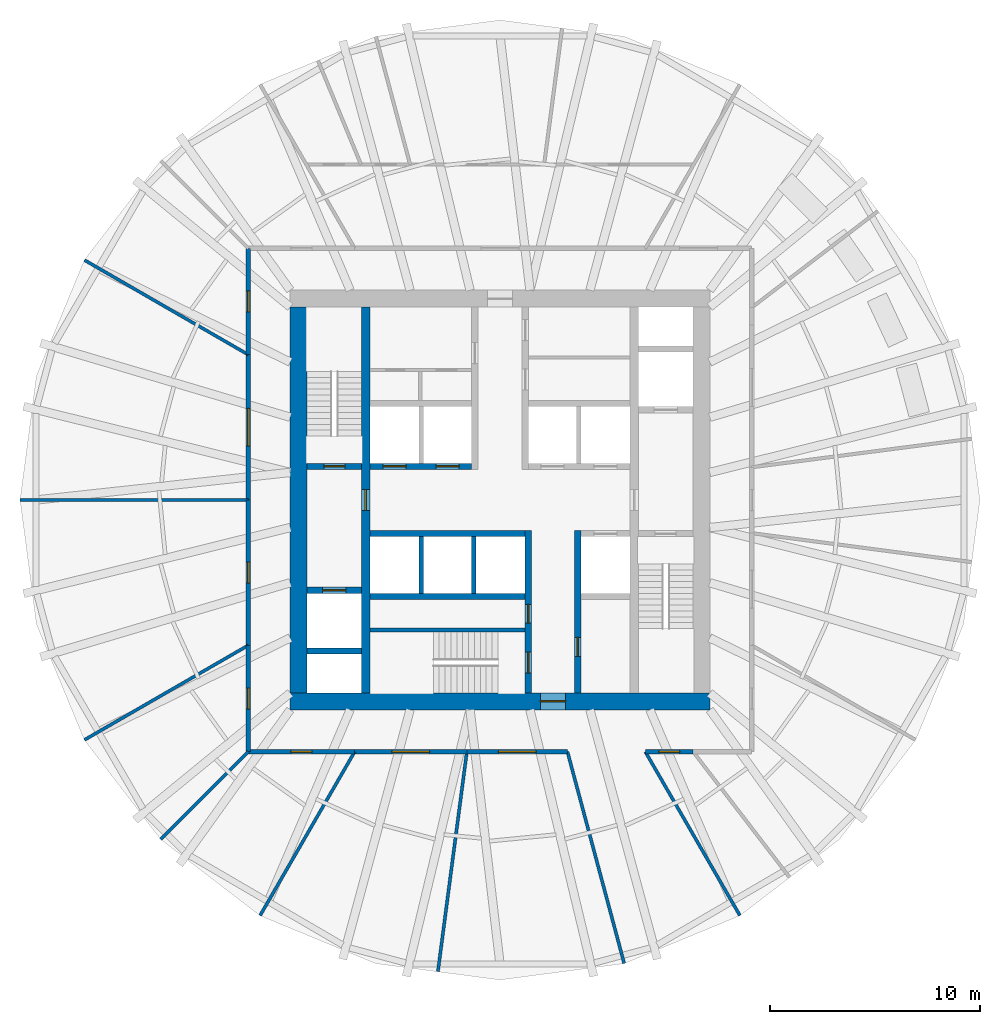
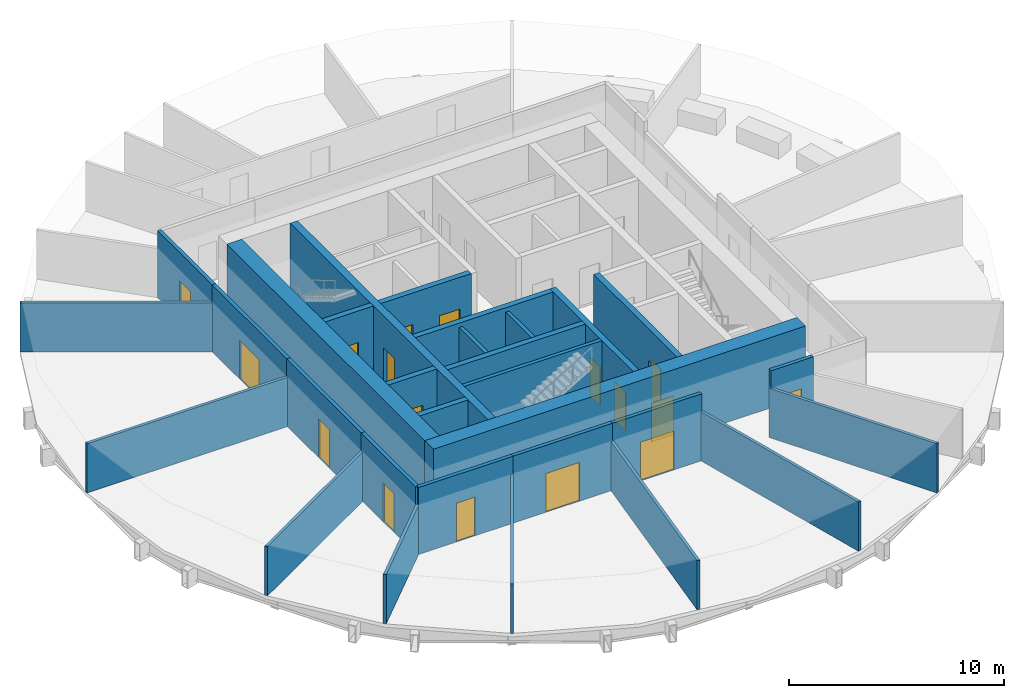
# One storey, part 3 of 7: 30 walls, 17 doors, 17 openings.
"""IFC4 building model written with IfcOpenShell, lengths in metres."""

from ifc_helpers import new_model, si_unit, direction, frame, frame_2d, origin, place, context, subcontext, project, spatial, rectangle, extrude, material, layer, layer_set, type_object, element, fill, save


model = new_model("IFC4")

# Units and contexts
model_context = context("Model", 3, precision=1e-05, world=origin(), true_north=direction((0.0, 1.0)))
body_context = subcontext(model_context, "Body", "Model", "MODEL_VIEW")
ifc_project = project(units=[si_unit("LENGTHUNIT", "METRE"), si_unit("AREAUNIT", "SQUARE_METRE"), si_unit("VOLUMEUNIT", "CUBIC_METRE"), si_unit("PLANEANGLEUNIT", "RADIAN"), si_unit("MASSUNIT", "GRAM", prefix="KILO")], contexts=[model_context])

# Site, building, storey
site_placement = place(None, origin())
site = spatial("IfcSite", under=ifc_project, at=site_placement, CompositionType="ELEMENT")
building_placement = place(site_placement, origin())
building = spatial("IfcBuilding", under=site, at=building_placement, Name="Golbaran Civic Tower", CompositionType="ELEMENT")
storey_placement = place(building_placement, frame((0.0, 0.0, 41.0)))
storey = spatial("IfcBuildingStorey", under=building, at=storey_placement, Name="L09", CompositionType="ELEMENT", Elevation=41.0)

# Wall, opening, door
ifc_material_1 = material(Name="Concrete C50/60", Category="concrete")
ifc_layer_1 = layer(ifc_material_1, 0.39990234375, Name="Concrete C50/60")
ifc_layer_set_1 = layer_set([ifc_layer_1], Name="Concrete C50/60")
wall_type_1 = type_object("IfcWallType", Name="CORE WALL CONCRETE 400", PredefinedType="SOLIDWALL", material=ifc_layer_set_1)
wall_1_placement = place(storey_placement, frame((-6.39990234375, -9.199951171875, 0.0), z_axis=(0.0, 0.0, 1.0), x_axis=(0.0, 1.0, 0.0)))
wall_1 = element("IfcWall", 1, at=wall_1_placement, inside=storey, type_object=wall_type_1, Name="Core wall IW L09", PredefinedType="SOLIDWALL", context=body_context, shape_type="SweptSolid", body=[
    extrude(rectangle(XDim=18.39990234375, YDim=0.39990234375, at=frame_2d((9.199951171875, 0.0))), origin(), (0.0, 0.0, 1.0), 4.0),
])
opening_1_placement = place(wall_1_placement, frame((8.699951171875, 0.0, 0.0)))
opening_1 = element("IfcOpeningElement", 2, at=opening_1_placement, cuts=wall_1, Name="Opening L09.FL1", PredefinedType="OPENING", context=body_context, shape_type="SweptSolid", body=[
    extrude(rectangle(XDim=1.0, YDim=2.199951171875, at=frame_2d((0.5, 1.10009765625))), frame((0.0, 0.2099609375, 0.0), z_axis=(0.0, -1.0, 0.0), x_axis=(1.0, 0.0, 0.0)), (0.0, 0.0, 1.0), 0.419921875),
])
ifc_material_2 = material(Name="Timber door set in steel frame", Category="steel")
door_type_1 = type_object("IfcDoorType", Name="STAIR DOOR 1000x2200", OperationType="SINGLE_SWING_LEFT", PredefinedType="DOOR", material=ifc_material_2)
door_1_placement = place(opening_1_placement, origin())
door_1 = element("IfcDoor", 3, at=door_1_placement, inside=storey, type_object=door_type_1, Name="Fire-fighting lobby FL1 door", OperationType="SINGLE_SWING_LEFT", OverallHeight=2.199951171875, OverallWidth=1.0, PredefinedType="DOOR", context=body_context, shape_type="SweptSolid", body=[
    extrude(rectangle(XDim=1.0, YDim=2.199951171875, at=frame_2d((0.5, 1.10009765625))), frame((0.0, 0.02490234375, 0.0), z_axis=(0.0, -1.0, 0.0), x_axis=(1.0, 0.0, 0.0)), (0.0, 0.0, 1.0), 0.050048828125),
])
fill(opening_1, door_1)

ifc_layer_2 = layer(ifc_material_1, 0.800048828125, Name="Concrete C50/60")
ifc_layer_set_2 = layer_set([ifc_layer_2], Name="Concrete C50/60")
wall_type_2 = type_object("IfcWallType", Name="CORE WALL CONCRETE 800", PredefinedType="SOLIDWALL", material=ifc_layer_set_2)
wall_2_placement = place(storey_placement, frame((10.0, -9.60009765625, 0.0), z_axis=(0.0, 0.0, 1.0), x_axis=(-1.0, 0.0, 0.0)))
wall_2 = element("IfcWall", 4, at=wall_2_placement, inside=storey, type_object=wall_type_2, Name="Core wall CS L09", PredefinedType="SOLIDWALL", context=body_context, shape_type="SweptSolid", body=[
    extrude(rectangle(XDim=20.0, YDim=0.800048828125, at=frame_2d((10.0, 0.0))), origin(), (0.0, 0.0, 1.0), 4.0),
])
opening_2_placement = place(wall_2_placement, frame((6.875, 0.0, 0.0)))
opening_2 = element("IfcOpeningElement", 5, at=opening_2_placement, cuts=wall_2, Name="Opening L09.CS", PredefinedType="OPENING", context=body_context, shape_type="SweptSolid", body=[
    extrude(rectangle(XDim=1.199951171875, YDim=2.199951171875, at=frame_2d((0.60009765625, 1.10009765625))), frame((0.0, 0.409912109375, 0.0), z_axis=(0.0, -1.0, 0.0), x_axis=(1.0, 0.0, 0.0)), (0.0, 0.0, 1.0), 0.820068359375),
])
door_type_2 = type_object("IfcDoorType", Name="CORE DOOR 1200x2200", OperationType="DOUBLE_DOOR_SINGLE_SWING", PredefinedType="DOOR", material=ifc_material_2)
door_2_placement = place(opening_2_placement, origin())
door_2 = element("IfcDoor", 6, at=door_2_placement, inside=storey, type_object=door_type_2, Name="Core door south", OperationType="DOUBLE_DOOR_SINGLE_SWING", OverallHeight=2.199951171875, OverallWidth=1.199951171875, PredefinedType="DOOR", context=body_context, shape_type="SweptSolid", body=[
    extrude(rectangle(XDim=1.199951171875, YDim=2.199951171875, at=frame_2d((0.60009765625, 1.10009765625))), frame((0.0, 0.02490234375, 0.0), z_axis=(0.0, -1.0, 0.0), x_axis=(1.0, 0.0, 0.0)), (0.0, 0.0, 1.0), 0.050048828125),
])
fill(opening_2, door_2)

# Wall
wall_3_placement = place(storey_placement, frame((-9.60009765625, 9.199951171875, 0.0), z_axis=(0.0, 0.0, 1.0), x_axis=(0.0, -1.0, 0.0)))
element("IfcWall", 7, at=wall_3_placement, inside=storey, type_object=wall_type_2, Name="Core wall CW L09", PredefinedType="SOLIDWALL", context=body_context, shape_type="SweptSolid", body=[
    extrude(rectangle(XDim=18.39990234375, YDim=0.800048828125, at=frame_2d((9.199951171875, 0.0))), origin(), (0.0, 0.0, 1.0), 4.0),
])

# Wall, opening, door
ifc_material_3 = material(Name="Gypsum board on steel studs, fire-rated", Category="steel")
ifc_layer_3 = layer(ifc_material_3, 0.199951171875, Name="Gypsum board on steel studs, fire-rated")
ifc_layer_set_3 = layer_set([ifc_layer_3], Name="Gypsum board on steel studs, fire-rated")
wall_type_3 = type_object("IfcWallType", Name="CORRIDOR WALL 200", PredefinedType="PARTITIONING", material=ifc_layer_set_3)
wall_4_placement = place(storey_placement, frame((-12.0, 12.0, 0.0), z_axis=(0.0, 0.0, 1.0), x_axis=(0.0, -1.0, 0.0)))
wall_4 = element("IfcWall", 8, at=wall_4_placement, inside=storey, type_object=wall_type_3, Name="Corridor wall L09", PredefinedType="PARTITIONING", context=body_context, shape_type="SweptSolid", body=[
    extrude(rectangle(XDim=5.07177734375, YDim=0.199951171875, at=frame_2d((2.535888671875, 0.0))), origin(), (0.0, 0.0, 1.0), 3.800048828125),
])
opening_3_placement = place(wall_4_placement, frame((2.035888671875, 0.0, 0.0)))
opening_3 = element("IfcOpeningElement", 9, at=opening_3_placement, cuts=wall_4, Name="Opening L09.11", PredefinedType="OPENING", context=body_context, shape_type="SweptSolid", body=[
    extrude(rectangle(XDim=1.0, YDim=2.199951171875, at=frame_2d((0.5, 1.10009765625))), frame((0.0, 0.10986328125, 0.0), z_axis=(0.0, -1.0, 0.0), x_axis=(1.0, 0.0, 0.0)), (0.0, 0.0, 1.0), 0.219970703125),
])
door_type_3 = type_object("IfcDoorType", Name="OFFICE DOOR 1000x2200", OperationType="SINGLE_SWING_LEFT", PredefinedType="DOOR", material=ifc_material_2)
door_3_placement = place(opening_3_placement, origin())
door_3 = element("IfcDoor", 10, at=door_3_placement, inside=storey, type_object=door_type_3, Name="Print and Copy Room door L09", OperationType="SINGLE_SWING_RIGHT", OverallHeight=2.199951171875, OverallWidth=1.0, PredefinedType="DOOR", context=body_context, shape_type="SweptSolid", body=[
    extrude(rectangle(XDim=1.0, YDim=2.199951171875, at=frame_2d((0.5, 1.10009765625))), frame((0.0, 0.02490234375, 0.0), z_axis=(0.0, -1.0, 0.0), x_axis=(1.0, 0.0, 0.0)), (0.0, 0.0, 1.0), 0.050048828125),
])
fill(opening_3, door_3)

wall_5_placement = place(storey_placement, frame((-12.0, 6.92822265625, 0.0), z_axis=(0.0, 0.0, 1.0), x_axis=(0.0, -1.0, 0.0)))
wall_5 = element("IfcWall", 11, at=wall_5_placement, inside=storey, type_object=wall_type_3, Name="Corridor wall L09", PredefinedType="PARTITIONING", context=body_context, shape_type="SweptSolid", body=[
    extrude(rectangle(XDim=6.92822265625, YDim=0.199951171875, at=frame_2d((3.464111328125, 0.0))), origin(), (0.0, 0.0, 1.0), 3.800048828125),
])
opening_4_placement = place(wall_5_placement, frame((2.564208984375, 0.0, 0.0)))
opening_4 = element("IfcOpeningElement", 12, at=opening_4_placement, cuts=wall_5, Name="Opening L09.12", PredefinedType="OPENING", context=body_context, shape_type="SweptSolid", body=[
    extrude(rectangle(XDim=1.800048828125, YDim=2.199951171875, at=frame_2d((0.89990234375, 1.10009765625))), frame((0.0, 0.10986328125, 0.0), z_axis=(0.0, -1.0, 0.0), x_axis=(1.0, 0.0, 0.0)), (0.0, 0.0, 1.0), 0.219970703125),
])
door_type_4 = type_object("IfcDoorType", Name="OFFICE DOUBLE DOOR 1800x2200", OperationType="DOUBLE_DOOR_SINGLE_SWING", PredefinedType="DOOR", material=ifc_material_2)
door_4_placement = place(opening_4_placement, origin())
door_4 = element("IfcDoor", 13, at=door_4_placement, inside=storey, type_object=door_type_4, Name="Open Office door L09", OperationType="DOUBLE_DOOR_SINGLE_SWING", OverallHeight=2.199951171875, OverallWidth=1.800048828125, PredefinedType="DOOR", context=body_context, shape_type="SweptSolid", body=[
    extrude(rectangle(XDim=1.800048828125, YDim=2.199951171875, at=frame_2d((0.89990234375, 1.10009765625))), frame((0.0, 0.02490234375, 0.0), z_axis=(0.0, -1.0, 0.0), x_axis=(1.0, 0.0, 0.0)), (0.0, 0.0, 1.0), 0.050048828125),
])
fill(opening_4, door_4)

wall_6_placement = place(storey_placement, frame((-12.0, 0.0, 0.0), z_axis=(0.0, 0.0, 1.0), x_axis=(0.0, -1.0, 0.0)))
wall_6 = element("IfcWall", 14, at=wall_6_placement, inside=storey, type_object=wall_type_3, Name="Corridor wall L09", PredefinedType="PARTITIONING", context=body_context, shape_type="SweptSolid", body=[
    extrude(rectangle(XDim=6.92822265625, YDim=0.199951171875, at=frame_2d((3.464111328125, 0.0))), origin(), (0.0, 0.0, 1.0), 3.800048828125),
])
opening_5_placement = place(wall_6_placement, frame((2.964111328125, 0.0, 0.0)))
opening_5 = element("IfcOpeningElement", 15, at=opening_5_placement, cuts=wall_6, Name="Opening L09.13", PredefinedType="OPENING", context=body_context, shape_type="SweptSolid", body=[
    extrude(rectangle(XDim=1.0, YDim=2.199951171875, at=frame_2d((0.5, 1.10009765625))), frame((0.0, 0.10986328125, 0.0), z_axis=(0.0, -1.0, 0.0), x_axis=(1.0, 0.0, 0.0)), (0.0, 0.0, 1.0), 0.219970703125),
])
door_5_placement = place(opening_5_placement, origin())
door_5 = element("IfcDoor", 16, at=door_5_placement, inside=storey, type_object=door_type_3, Name="Interview Room door L09", OperationType="SINGLE_SWING_RIGHT", OverallHeight=2.199951171875, OverallWidth=1.0, PredefinedType="DOOR", context=body_context, shape_type="SweptSolid", body=[
    extrude(rectangle(XDim=1.0, YDim=2.199951171875, at=frame_2d((0.5, 1.10009765625))), frame((0.0, 0.02490234375, 0.0), z_axis=(0.0, -1.0, 0.0), x_axis=(1.0, 0.0, 0.0)), (0.0, 0.0, 1.0), 0.050048828125),
])
fill(opening_5, door_5)

wall_7_placement = place(storey_placement, frame((-12.0, -6.92822265625, 0.0), z_axis=(0.0, 0.0, 1.0), x_axis=(0.0, -1.0, 0.0)))
wall_7 = element("IfcWall", 17, at=wall_7_placement, inside=storey, type_object=wall_type_3, Name="Corridor wall L09", PredefinedType="PARTITIONING", context=body_context, shape_type="SweptSolid", body=[
    extrude(rectangle(XDim=5.07177734375, YDim=0.199951171875, at=frame_2d((2.535888671875, 0.0))), origin(), (0.0, 0.0, 1.0), 3.800048828125),
])
opening_6_placement = place(wall_7_placement, frame((2.035888671875, 0.0, 0.0)))
opening_6 = element("IfcOpeningElement", 18, at=opening_6_placement, cuts=wall_7, Name="Opening L09.14", PredefinedType="OPENING", context=body_context, shape_type="SweptSolid", body=[
    extrude(rectangle(XDim=1.0, YDim=2.199951171875, at=frame_2d((0.5, 1.10009765625))), frame((0.0, 0.10986328125, 0.0), z_axis=(0.0, -1.0, 0.0), x_axis=(1.0, 0.0, 0.0)), (0.0, 0.0, 1.0), 0.219970703125),
])
door_6_placement = place(opening_6_placement, origin())
door_6 = element("IfcDoor", 19, at=door_6_placement, inside=storey, type_object=door_type_3, Name="Project Room door L09", OperationType="SINGLE_SWING_RIGHT", OverallHeight=2.199951171875, OverallWidth=1.0, PredefinedType="DOOR", context=body_context, shape_type="SweptSolid", body=[
    extrude(rectangle(XDim=1.0, YDim=2.199951171875, at=frame_2d((0.5, 1.10009765625))), frame((0.0, 0.02490234375, 0.0), z_axis=(0.0, -1.0, 0.0), x_axis=(1.0, 0.0, 0.0)), (0.0, 0.0, 1.0), 0.050048828125),
])
fill(opening_6, door_6)

wall_8_placement = place(storey_placement, frame((-12.0, -12.0, 0.0), z_axis=(0.0, 0.0, 1.0), x_axis=(1.0, 0.0, 0.0)))
wall_8 = element("IfcWall", 20, at=wall_8_placement, inside=storey, type_object=wall_type_3, Name="Corridor wall L09", PredefinedType="PARTITIONING", context=body_context, shape_type="SweptSolid", body=[
    extrude(rectangle(XDim=5.07177734375, YDim=0.199951171875, at=frame_2d((2.535888671875, 0.0))), origin(), (0.0, 0.0, 1.0), 3.800048828125),
])
opening_7_placement = place(wall_8_placement, frame((2.035888671875, 0.0, 0.0)))
opening_7 = element("IfcOpeningElement", 21, at=opening_7_placement, cuts=wall_8, Name="Opening L09.15", PredefinedType="OPENING", context=body_context, shape_type="SweptSolid", body=[
    extrude(rectangle(XDim=1.0, YDim=2.199951171875, at=frame_2d((0.5, 1.10009765625))), frame((0.0, 0.10986328125, 0.0), z_axis=(0.0, -1.0, 0.0), x_axis=(1.0, 0.0, 0.0)), (0.0, 0.0, 1.0), 0.219970703125),
])
door_7_placement = place(opening_7_placement, origin())
door_7 = element("IfcDoor", 22, at=door_7_placement, inside=storey, type_object=door_type_3, Name="Interview Room door L09", OperationType="SINGLE_SWING_LEFT", OverallHeight=2.199951171875, OverallWidth=1.0, PredefinedType="DOOR", context=body_context, shape_type="SweptSolid", body=[
    extrude(rectangle(XDim=1.0, YDim=2.199951171875, at=frame_2d((0.5, 1.10009765625))), frame((0.0, 0.02490234375, 0.0), z_axis=(0.0, -1.0, 0.0), x_axis=(1.0, 0.0, 0.0)), (0.0, 0.0, 1.0), 0.050048828125),
])
fill(opening_7, door_7)

wall_9_placement = place(storey_placement, frame((-6.92822265625, -12.0, 0.0), z_axis=(0.0, 0.0, 1.0), x_axis=(1.0, 0.0, 0.0)))
wall_9 = element("IfcWall", 23, at=wall_9_placement, inside=storey, type_object=wall_type_3, Name="Corridor wall L09", PredefinedType="PARTITIONING", context=body_context, shape_type="SweptSolid", body=[
    extrude(rectangle(XDim=5.348388671875, YDim=0.199951171875, at=frame_2d((2.67431640625, 0.0))), origin(), (0.0, 0.0, 1.0), 3.800048828125),
])
opening_8_placement = place(wall_9_placement, frame((1.774169921875, 0.0, 0.0)))
opening_8 = element("IfcOpeningElement", 24, at=opening_8_placement, cuts=wall_9, Name="Opening L09.16", PredefinedType="OPENING", context=body_context, shape_type="SweptSolid", body=[
    extrude(rectangle(XDim=1.800048828125, YDim=2.199951171875, at=frame_2d((0.89990234375, 1.10009765625))), frame((0.0, 0.10986328125, 0.0), z_axis=(0.0, -1.0, 0.0), x_axis=(1.0, 0.0, 0.0)), (0.0, 0.0, 1.0), 0.219970703125),
])
door_8_placement = place(opening_8_placement, origin())
door_8 = element("IfcDoor", 25, at=door_8_placement, inside=storey, type_object=door_type_4, Name="Open Office door L09", OperationType="DOUBLE_DOOR_SINGLE_SWING", OverallHeight=2.199951171875, OverallWidth=1.800048828125, PredefinedType="DOOR", context=body_context, shape_type="SweptSolid", body=[
    extrude(rectangle(XDim=1.800048828125, YDim=2.199951171875, at=frame_2d((0.89990234375, 1.10009765625))), frame((0.0, 0.02490234375, 0.0), z_axis=(0.0, -1.0, 0.0), x_axis=(1.0, 0.0, 0.0)), (0.0, 0.0, 1.0), 0.050048828125),
])
fill(opening_8, door_8)

wall_10_placement = place(storey_placement, frame((-1.579833984375, -12.0, 0.0), z_axis=(0.0, 0.0, 1.0), x_axis=(1.0, 0.0, 0.0)))
wall_10 = element("IfcWall", 26, at=wall_10_placement, inside=storey, type_object=wall_type_3, Name="Corridor wall L09", PredefinedType="PARTITIONING", context=body_context, shape_type="SweptSolid", body=[
    extrude(rectangle(XDim=4.795166015625, YDim=0.199951171875, at=frame_2d((2.3974609375, 0.0))), origin(), (0.0, 0.0, 1.0), 3.800048828125),
])
opening_9_placement = place(wall_10_placement, frame((1.49755859375, 0.0, 0.0)))
opening_9 = element("IfcOpeningElement", 27, at=opening_9_placement, cuts=wall_10, Name="Opening L09.17", PredefinedType="OPENING", context=body_context, shape_type="SweptSolid", body=[
    extrude(rectangle(XDim=1.800048828125, YDim=2.199951171875, at=frame_2d((0.89990234375, 1.10009765625))), frame((0.0, 0.10986328125, 0.0), z_axis=(0.0, -1.0, 0.0), x_axis=(1.0, 0.0, 0.0)), (0.0, 0.0, 1.0), 0.219970703125),
])
door_9_placement = place(opening_9_placement, origin())
door_9 = element("IfcDoor", 28, at=door_9_placement, inside=storey, type_object=door_type_4, Name="Open Office door L09", OperationType="DOUBLE_DOOR_SINGLE_SWING", OverallHeight=2.199951171875, OverallWidth=1.800048828125, PredefinedType="DOOR", context=body_context, shape_type="SweptSolid", body=[
    extrude(rectangle(XDim=1.800048828125, YDim=2.199951171875, at=frame_2d((0.89990234375, 1.10009765625))), frame((0.0, 0.02490234375, 0.0), z_axis=(0.0, -1.0, 0.0), x_axis=(1.0, 0.0, 0.0)), (0.0, 0.0, 1.0), 0.050048828125),
])
fill(opening_9, door_9)

wall_11_placement = place(storey_placement, frame((6.92822265625, -12.0, 0.0), z_axis=(0.0, 0.0, 1.0), x_axis=(1.0, 0.0, 0.0)))
wall_11 = element("IfcWall", 29, at=wall_11_placement, inside=storey, type_object=wall_type_3, Name="Corridor wall L09", PredefinedType="PARTITIONING", context=body_context, shape_type="SweptSolid", body=[
    extrude(rectangle(XDim=2.27978515625, YDim=0.199951171875, at=frame_2d((1.139892578125, 0.0))), origin(), (0.0, 0.0, 1.0), 3.800048828125),
])
opening_10_placement = place(wall_11_placement, frame((0.639892578125, 0.0, 0.0)))
opening_10 = element("IfcOpeningElement", 30, at=opening_10_placement, cuts=wall_11, Name="Opening L09.18", PredefinedType="OPENING", context=body_context, shape_type="SweptSolid", body=[
    extrude(rectangle(XDim=1.0, YDim=2.199951171875, at=frame_2d((0.5, 1.10009765625))), frame((0.0, 0.10986328125, 0.0), z_axis=(0.0, -1.0, 0.0), x_axis=(1.0, 0.0, 0.0)), (0.0, 0.0, 1.0), 0.219970703125),
])
door_10_placement = place(opening_10_placement, origin())
door_10 = element("IfcDoor", 31, at=door_10_placement, inside=storey, type_object=door_type_3, Name="Quiet Room door L09", OperationType="SINGLE_SWING_LEFT", OverallHeight=2.199951171875, OverallWidth=1.0, PredefinedType="DOOR", context=body_context, shape_type="SweptSolid", body=[
    extrude(rectangle(XDim=1.0, YDim=2.199951171875, at=frame_2d((0.5, 1.10009765625))), frame((0.0, 0.02490234375, 0.0), z_axis=(0.0, -1.0, 0.0), x_axis=(1.0, 0.0, 0.0)), (0.0, 0.0, 1.0), 0.050048828125),
])
fill(opening_10, door_10)

# Walls
ifc_material_4 = material(Name="Concrete block", Category="concrete")
ifc_layer_4 = layer(ifc_material_4, 0.199951171875, Name="Concrete block")
ifc_layer_set_4 = layer_set([ifc_layer_4], Name="Concrete block")
wall_type_4 = type_object("IfcWallType", Name="LIFT SEPARATOR WALL 200", PredefinedType="SOLIDWALL", material=ifc_layer_set_4)
for number, where, z_axis, x_axis, name in (
    (32, (-3.75, -1.75, 0.0), (0.0, 0.0, 1.0), (0.0, -1.0, 0.0), "Core partition SSW L09"),
    (33, (-1.25, -1.75, 0.0), (0.0, 0.0, 1.0), (0.0, -1.0, 0.0), "Core partition SSM L09"),
):
    element("IfcWall", number, at=place(storey_placement, frame(where, z_axis=z_axis, x_axis=x_axis)), inside=storey, type_object=wall_type_4, Name=name, PredefinedType="SOLIDWALL", context=body_context, shape_type="SweptSolid", body=[
        extrude(rectangle(XDim=2.699951171875, YDim=0.199951171875, at=frame_2d((1.35009765625, 0.0))), origin(), (0.0, 0.0, 1.0), 3.75),
    ])
ifc_material_5 = material(Name="Gypsum board on steel studs", Category="steel")
ifc_layer_5 = layer(ifc_material_5, 0.14990234375, Name="Gypsum board on steel studs")
ifc_layer_set_5 = layer_set([ifc_layer_5], Name="Gypsum board on steel studs")
wall_type_5 = type_object("IfcWallType", Name="OFFICE PARTITION 150", PredefinedType="PARTITIONING", material=ifc_layer_set_5)
wall_12_placement = place(storey_placement, frame((-12.0, 6.92822265625, 0.0), z_axis=(0.0, 0.0, 1.0), x_axis=(-0.866027720199, 0.49999598783, 0.0)))
element("IfcWall", 34, at=wall_12_placement, inside=storey, type_object=wall_type_5, Name="Partition 150 L09", PredefinedType="PARTITIONING", context=body_context, shape_type="SweptSolid", body=[
    extrude(rectangle(XDim=9.013671875, YDim=0.14990234375, at=frame_2d((4.5068359375, 0.0))), origin(), (0.0, 0.0, 1.0), 2.7900390625),
])
wall_13_placement = place(storey_placement, frame((-12.0, 0.0, 0.0), z_axis=(0.0, 0.0, 1.0), x_axis=(-1.0, 0.0, 0.0)))
element("IfcWall", 35, at=wall_13_placement, inside=storey, type_object=wall_type_5, Name="Partition 180 L09", PredefinedType="PARTITIONING", context=body_context, shape_type="SweptSolid", body=[
    extrude(rectangle(XDim=10.8701171875, YDim=0.14990234375, at=frame_2d((5.43505859375, 0.0))), origin(), (0.0, 0.0, 1.0), 2.7900390625),
])
wall_14_placement = place(storey_placement, frame((-12.0, -6.92822265625, 0.0), z_axis=(0.0, 0.0, 1.0), x_axis=(-0.866027720199, -0.49999598783, 0.0)))
element("IfcWall", 36, at=wall_14_placement, inside=storey, type_object=wall_type_5, Name="Partition 210 L09", PredefinedType="PARTITIONING", context=body_context, shape_type="SweptSolid", body=[
    extrude(rectangle(XDim=9.013671875, YDim=0.14990234375, at=frame_2d((4.5068359375, 0.0))), origin(), (0.0, 0.0, 1.0), 2.7900390625),
])
wall_15_placement = place(storey_placement, frame((-12.0, -12.0, 0.0), z_axis=(0.0, 0.0, 1.0), x_axis=(-0.707106781187, -0.707106781187, 0.0)))
element("IfcWall", 37, at=wall_15_placement, inside=storey, type_object=wall_type_5, Name="Partition 225 L09", PredefinedType="PARTITIONING", context=body_context, shape_type="SweptSolid", body=[
    extrude(rectangle(XDim=5.899658203125, YDim=0.14990234375, at=frame_2d((2.94970703125, 0.0))), origin(), (0.0, 0.0, 1.0), 2.7900390625),
])
wall_16_placement = place(storey_placement, frame((-6.92822265625, -12.0, 0.0), z_axis=(0.0, 0.0, 1.0), x_axis=(-0.49999598783, -0.866027720199, 0.0)))
element("IfcWall", 38, at=wall_16_placement, inside=storey, type_object=wall_type_5, Name="Partition 240 L09", PredefinedType="PARTITIONING", context=body_context, shape_type="SweptSolid", body=[
    extrude(rectangle(XDim=9.013671875, YDim=0.14990234375, at=frame_2d((4.5068359375, 0.0))), origin(), (0.0, 0.0, 1.0), 2.7900390625),
])
wall_17_placement = place(storey_placement, frame((-1.579833984375, -12.0, 0.0), z_axis=(0.0, 0.0, 1.0), x_axis=(-0.130535763012, -0.991443601308, 0.0)))
element("IfcWall", 39, at=wall_17_placement, inside=storey, type_object=wall_type_5, Name="Partition 262.5 L09", PredefinedType="PARTITIONING", context=body_context, shape_type="SweptSolid", body=[
    extrude(rectangle(XDim=10.57080078125, YDim=0.14990234375, at=frame_2d((5.285400390625, 0.0))), origin(), (0.0, 0.0, 1.0), 2.7900390625),
])
wall_18_placement = place(storey_placement, frame((3.21533203125, -12.0, 0.0), z_axis=(0.0, 0.0, 1.0), x_axis=(0.25882174838, -0.965925101944, 0.0)))
element("IfcWall", 40, at=wall_18_placement, inside=storey, type_object=wall_type_5, Name="Partition 285 L09", PredefinedType="PARTITIONING", context=body_context, shape_type="SweptSolid", body=[
    extrude(rectangle(XDim=10.44677734375, YDim=0.14990234375, at=frame_2d((5.223388671875, 0.0))), origin(), (0.0, 0.0, 1.0), 2.7900390625),
])
wall_19_placement = place(storey_placement, frame((6.92822265625, -12.0, 0.0), z_axis=(0.0, 0.0, 1.0), x_axis=(0.49999598783, -0.866027720199, 0.0)))
element("IfcWall", 41, at=wall_19_placement, inside=storey, type_object=wall_type_5, Name="Partition 300 L09", PredefinedType="PARTITIONING", context=body_context, shape_type="SweptSolid", body=[
    extrude(rectangle(XDim=9.013671875, YDim=0.14990234375, at=frame_2d((4.5068359375, 0.0))), origin(), (0.0, 0.0, 1.0), 2.7900390625),
])
ifc_layer_6 = layer(ifc_material_1, 0.199951171875, Name="Concrete C50/60")
ifc_layer_set_6 = layer_set([ifc_layer_6], Name="Concrete C50/60")
wall_type_6 = type_object("IfcWallType", Name="SHAFT WALL CONCRETE 200", PredefinedType="SOLIDWALL", material=ifc_layer_set_6)
wall_20_placement = place(storey_placement, frame((-6.199951171875, -6.199951171875, 0.0), z_axis=(0.0, 0.0, 1.0), x_axis=(1.0, 0.0, 0.0)))
element("IfcWall", 42, at=wall_20_placement, inside=storey, type_object=wall_type_6, Name="Core wall S3N L09", PredefinedType="SOLIDWALL", context=body_context, shape_type="SweptSolid", body=[
    extrude(rectangle(XDim=7.39990234375, YDim=0.199951171875, at=frame_2d((3.699951171875, 0.0))), origin(), (0.0, 0.0, 1.0), 4.0),
])

# Wall, openings, doors
ifc_layer_7 = layer(ifc_material_1, 0.300048828125, Name="Concrete C50/60")
ifc_layer_set_7 = layer_set([ifc_layer_7], Name="Concrete C50/60")
wall_type_7 = type_object("IfcWallType", Name="SHAFT WALL CONCRETE 300", PredefinedType="SOLIDWALL", material=ifc_layer_set_7)
wall_21_placement = place(storey_placement, frame((-6.199951171875, 1.60009765625, 0.0), z_axis=(0.0, 0.0, 1.0), x_axis=(1.0, 0.0, 0.0)))
wall_21 = element("IfcWall", 43, at=wall_21_placement, inside=storey, type_object=wall_type_7, Name="Core wall FNW L09", PredefinedType="SOLIDWALL", context=body_context, shape_type="SweptSolid", body=[
    extrude(rectangle(XDim=4.849853515625, YDim=0.300048828125, at=frame_2d((2.4248046875, 0.0))), origin(), (0.0, 0.0, 1.0), 4.0),
])
opening_11_placement = place(wall_21_placement, frame((0.625, 0.0, 0.0)))
opening_11 = element("IfcOpeningElement", 44, at=opening_11_placement, cuts=wall_21, Name="Opening L09.LD-Z1L", PredefinedType="OPENING", context=body_context, shape_type="SweptSolid", body=[
    extrude(rectangle(XDim=1.10009765625, YDim=2.199951171875, at=frame_2d((0.550048828125, 1.10009765625))), frame((0.0, 0.159912109375, 0.0), z_axis=(0.0, -1.0, 0.0), x_axis=(1.0, 0.0, 0.0)), (0.0, 0.0, 1.0), 0.320068359375),
])
opening_12_placement = place(wall_21_placement, frame((3.14990234375, 0.0, 0.0)))
opening_12 = element("IfcOpeningElement", 45, at=opening_12_placement, cuts=wall_21, Name="Opening L09.LD-Z2L", PredefinedType="OPENING", context=body_context, shape_type="SweptSolid", body=[
    extrude(rectangle(XDim=1.10009765625, YDim=2.199951171875, at=frame_2d((0.550048828125, 1.10009765625))), frame((0.0, 0.159912109375, 0.0), z_axis=(0.0, -1.0, 0.0), x_axis=(1.0, 0.0, 0.0)), (0.0, 0.0, 1.0), 0.320068359375),
])
ifc_material_6 = material(Name="Stainless steel", Category="steel")
door_type_5 = type_object("IfcDoorType", Name="LIFT LANDING DOOR 1100x2200", OperationType="SLIDING_TO_LEFT", PredefinedType="DOOR", material=ifc_material_6)
door_11_placement = place(opening_11_placement, origin())
door_11 = element("IfcDoor", 46, at=door_11_placement, inside=storey, type_object=door_type_5, Name="Lift landing door Z1L", OperationType="SLIDING_TO_LEFT", OverallHeight=2.199951171875, OverallWidth=1.10009765625, PredefinedType="DOOR", context=body_context, shape_type="SweptSolid", body=[
    extrude(rectangle(XDim=1.10009765625, YDim=2.199951171875, at=frame_2d((0.550048828125, 1.10009765625))), frame((0.0, 0.02490234375, 0.0), z_axis=(0.0, -1.0, 0.0), x_axis=(1.0, 0.0, 0.0)), (0.0, 0.0, 1.0), 0.050048828125),
])
fill(opening_11, door_11)
door_12_placement = place(opening_12_placement, origin())
door_12 = element("IfcDoor", 47, at=door_12_placement, inside=storey, type_object=door_type_5, Name="Lift landing door Z2L", OperationType="SLIDING_TO_LEFT", OverallHeight=2.199951171875, OverallWidth=1.10009765625, PredefinedType="DOOR", context=body_context, shape_type="SweptSolid", body=[
    extrude(rectangle(XDim=1.10009765625, YDim=2.199951171875, at=frame_2d((0.550048828125, 1.10009765625))), frame((0.0, 0.02490234375, 0.0), z_axis=(0.0, -1.0, 0.0), x_axis=(1.0, 0.0, 0.0)), (0.0, 0.0, 1.0), 0.050048828125),
])
fill(opening_12, door_12)

# Walls
for number, where, z_axis, x_axis, name in (
    (48, (-6.199951171875, -1.60009765625, 0.0), (0.0, 0.0, 1.0), (1.0, 0.0, 0.0), "Core wall FSW L09"),
    (49, (-6.199951171875, -4.60009765625, 0.0), (0.0, 0.0, 1.0), (1.0, 0.0, 0.0), "Core wall BSW L09"),
):
    element("IfcWall", number, at=place(storey_placement, frame(where, z_axis=z_axis, x_axis=x_axis)), inside=storey, type_object=wall_type_7, Name=name, PredefinedType="SOLIDWALL", context=body_context, shape_type="SweptSolid", body=[
        extrude(rectangle(XDim=7.39990234375, YDim=0.300048828125, at=frame_2d((3.699951171875, 0.0))), origin(), (0.0, 0.0, 1.0), 4.0),
    ])

# Wall, openings, doors
wall_22_placement = place(storey_placement, frame((1.35009765625, -1.449951171875, 0.0), z_axis=(0.0, 0.0, 1.0), x_axis=(0.0, -1.0, 0.0)))
wall_22 = element("IfcWall", 50, at=wall_22_placement, inside=storey, type_object=wall_type_7, Name="Core wall PSW L09", PredefinedType="SOLIDWALL", context=body_context, shape_type="SweptSolid", body=[
    extrude(rectangle(XDim=7.75, YDim=0.300048828125, at=frame_2d((3.875, 0.0))), origin(), (0.0, 0.0, 1.0), 4.0),
])
opening_13_placement = place(wall_22_placement, frame((5.800048828125, 0.0, 0.0)))
opening_13 = element("IfcOpeningElement", 51, at=opening_13_placement, cuts=wall_22, Name="Opening L09.S3", PredefinedType="OPENING", context=body_context, shape_type="SweptSolid", body=[
    extrude(rectangle(XDim=1.0, YDim=2.199951171875, at=frame_2d((0.5, 1.10009765625))), frame((0.0, 0.159912109375, 0.0), z_axis=(0.0, -1.0, 0.0), x_axis=(1.0, 0.0, 0.0)), (0.0, 0.0, 1.0), 0.320068359375),
])
opening_14_placement = place(wall_22_placement, frame((3.52490234375, 0.0, 0.0)))
opening_14 = element("IfcOpeningElement", 52, at=opening_14_placement, cuts=wall_22, Name="Opening L09.RE", PredefinedType="OPENING", context=body_context, shape_type="SweptSolid", body=[
    extrude(rectangle(XDim=0.89990234375, YDim=2.199951171875, at=frame_2d((0.449951171875, 1.10009765625))), frame((0.0, 0.159912109375, 0.0), z_axis=(0.0, -1.0, 0.0), x_axis=(1.0, 0.0, 0.0)), (0.0, 0.0, 1.0), 0.320068359375),
])
door_type_6 = type_object("IfcDoorType", Name="RISER DOOR 900x2200", OperationType="SINGLE_SWING_LEFT", PredefinedType="DOOR", material=ifc_material_2)
door_13_placement = place(opening_14_placement, origin())
door_13 = element("IfcDoor", 53, at=door_13_placement, inside=storey, type_object=door_type_6, Name="Electrical riser door", OperationType="SINGLE_SWING_RIGHT", OverallHeight=2.199951171875, OverallWidth=0.89990234375, PredefinedType="DOOR", context=body_context, shape_type="SweptSolid", body=[
    extrude(rectangle(XDim=0.89990234375, YDim=2.199951171875, at=frame_2d((0.449951171875, 1.10009765625))), frame((0.0, 0.02490234375, 0.0), z_axis=(0.0, -1.0, 0.0), x_axis=(1.0, 0.0, 0.0)), (0.0, 0.0, 1.0), 0.050048828125),
])
fill(opening_14, door_13)
door_14_placement = place(opening_13_placement, origin())
door_14 = element("IfcDoor", 54, at=door_14_placement, inside=storey, type_object=door_type_1, Name="Stair S3 door", OperationType="SINGLE_SWING_RIGHT", OverallHeight=2.199951171875, OverallWidth=1.0, PredefinedType="DOOR", context=body_context, shape_type="SweptSolid", body=[
    extrude(rectangle(XDim=1.0, YDim=2.199951171875, at=frame_2d((0.5, 1.10009765625))), frame((0.0, 0.02490234375, 0.0), z_axis=(0.0, -1.0, 0.0), x_axis=(1.0, 0.0, 0.0)), (0.0, 0.0, 1.0), 0.050048828125),
])
fill(opening_13, door_14)

# Wall, opening, door
wall_23_placement = place(storey_placement, frame((3.699951171875, -1.449951171875, 0.0), z_axis=(0.0, 0.0, 1.0), x_axis=(0.0, -1.0, 0.0)))
wall_23 = element("IfcWall", 55, at=wall_23_placement, inside=storey, type_object=wall_type_7, Name="Core wall PSE L09", PredefinedType="SOLIDWALL", context=body_context, shape_type="SweptSolid", body=[
    extrude(rectangle(XDim=7.75, YDim=0.300048828125, at=frame_2d((3.875, 0.0))), origin(), (0.0, 0.0, 1.0), 4.0),
])
opening_15_placement = place(wall_23_placement, frame((5.10009765625, 0.0, 0.0)))
opening_15 = element("IfcOpeningElement", 56, at=opening_15_placement, cuts=wall_23, Name="Opening L09.RM", PredefinedType="OPENING", context=body_context, shape_type="SweptSolid", body=[
    extrude(rectangle(XDim=0.89990234375, YDim=2.199951171875, at=frame_2d((0.449951171875, 1.10009765625))), frame((0.0, 0.159912109375, 0.0), z_axis=(0.0, -1.0, 0.0), x_axis=(1.0, 0.0, 0.0)), (0.0, 0.0, 1.0), 0.320068359375),
])
door_15_placement = place(opening_15_placement, origin())
door_15 = element("IfcDoor", 57, at=door_15_placement, inside=storey, type_object=door_type_6, Name="Mechanical riser door", OperationType="SINGLE_SWING_RIGHT", OverallHeight=2.199951171875, OverallWidth=0.89990234375, PredefinedType="DOOR", context=body_context, shape_type="SweptSolid", body=[
    extrude(rectangle(XDim=0.89990234375, YDim=2.199951171875, at=frame_2d((0.449951171875, 1.10009765625))), frame((0.0, 0.02490234375, 0.0), z_axis=(0.0, -1.0, 0.0), x_axis=(1.0, 0.0, 0.0)), (0.0, 0.0, 1.0), 0.050048828125),
])
fill(opening_15, door_15)

wall_24_placement = place(storey_placement, frame((-9.199951171875, 1.60009765625, 0.0), z_axis=(0.0, 0.0, 1.0), x_axis=(1.0, 0.0, 0.0)))
wall_24 = element("IfcWall", 58, at=wall_24_placement, inside=storey, type_object=wall_type_7, Name="Core wall XW1 L09", PredefinedType="SOLIDWALL", context=body_context, shape_type="SweptSolid", body=[
    extrude(rectangle(XDim=2.599853515625, YDim=0.300048828125, at=frame_2d((1.2998046875, 0.0))), origin(), (0.0, 0.0, 1.0), 4.0),
])
opening_16_placement = place(wall_24_placement, frame((0.800048828125, 0.0, 0.0)))
opening_16 = element("IfcOpeningElement", 59, at=opening_16_placement, cuts=wall_24, Name="Opening L09.S1", PredefinedType="OPENING", context=body_context, shape_type="SweptSolid", body=[
    extrude(rectangle(XDim=1.0, YDim=2.199951171875, at=frame_2d((0.5, 1.10009765625))), frame((0.0, 0.159912109375, 0.0), z_axis=(0.0, -1.0, 0.0), x_axis=(1.0, 0.0, 0.0)), (0.0, 0.0, 1.0), 0.320068359375),
])
door_16_placement = place(opening_16_placement, origin())
door_16 = element("IfcDoor", 60, at=door_16_placement, inside=storey, type_object=door_type_1, Name="Stair S1 door", OperationType="SINGLE_SWING_LEFT", OverallHeight=2.199951171875, OverallWidth=1.0, PredefinedType="DOOR", context=body_context, shape_type="SweptSolid", body=[
    extrude(rectangle(XDim=1.0, YDim=2.199951171875, at=frame_2d((0.5, 1.10009765625))), frame((0.0, 0.02490234375, 0.0), z_axis=(0.0, -1.0, 0.0), x_axis=(1.0, 0.0, 0.0)), (0.0, 0.0, 1.0), 0.050048828125),
])
fill(opening_16, door_16)

wall_25_placement = place(storey_placement, frame((-9.199951171875, -4.300048828125, 0.0), z_axis=(0.0, 0.0, 1.0), x_axis=(1.0, 0.0, 0.0)))
wall_25 = element("IfcWall", 61, at=wall_25_placement, inside=storey, type_object=wall_type_7, Name="Core wall XW2 L09", PredefinedType="SOLIDWALL", context=body_context, shape_type="SweptSolid", body=[
    extrude(rectangle(XDim=2.599853515625, YDim=0.300048828125, at=frame_2d((1.2998046875, 0.0))), origin(), (0.0, 0.0, 1.0), 4.0),
])
opening_17_placement = place(wall_25_placement, frame((0.75, 0.0, 0.0)))
opening_17 = element("IfcOpeningElement", 62, at=opening_17_placement, cuts=wall_25, Name="Opening L09.LD-F1", PredefinedType="OPENING", context=body_context, shape_type="SweptSolid", body=[
    extrude(rectangle(XDim=1.10009765625, YDim=2.199951171875, at=frame_2d((0.550048828125, 1.10009765625))), frame((0.0, 0.159912109375, 0.0), z_axis=(0.0, -1.0, 0.0), x_axis=(1.0, 0.0, 0.0)), (0.0, 0.0, 1.0), 0.320068359375),
])
door_17_placement = place(opening_17_placement, origin())
door_17 = element("IfcDoor", 63, at=door_17_placement, inside=storey, type_object=door_type_5, Name="Lift landing door F1", OperationType="SLIDING_TO_LEFT", OverallHeight=2.199951171875, OverallWidth=1.10009765625, PredefinedType="DOOR", context=body_context, shape_type="SweptSolid", body=[
    extrude(rectangle(XDim=1.10009765625, YDim=2.199951171875, at=frame_2d((0.550048828125, 1.10009765625))), frame((0.0, 0.02490234375, 0.0), z_axis=(0.0, -1.0, 0.0), x_axis=(1.0, 0.0, 0.0)), (0.0, 0.0, 1.0), 0.050048828125),
])
fill(opening_17, door_17)

# Wall
wall_26_placement = place(storey_placement, frame((-9.199951171875, -7.199951171875, 0.0), z_axis=(0.0, 0.0, 1.0), x_axis=(1.0, 0.0, 0.0)))
element("IfcWall", 64, at=wall_26_placement, inside=storey, type_object=wall_type_7, Name="Core wall XW3 L09", PredefinedType="SOLIDWALL", context=body_context, shape_type="SweptSolid", body=[
    extrude(rectangle(XDim=2.599853515625, YDim=0.300048828125, at=frame_2d((1.2998046875, 0.0))), origin(), (0.0, 0.0, 1.0), 4.0),
])

save(model, "model.ifc")
